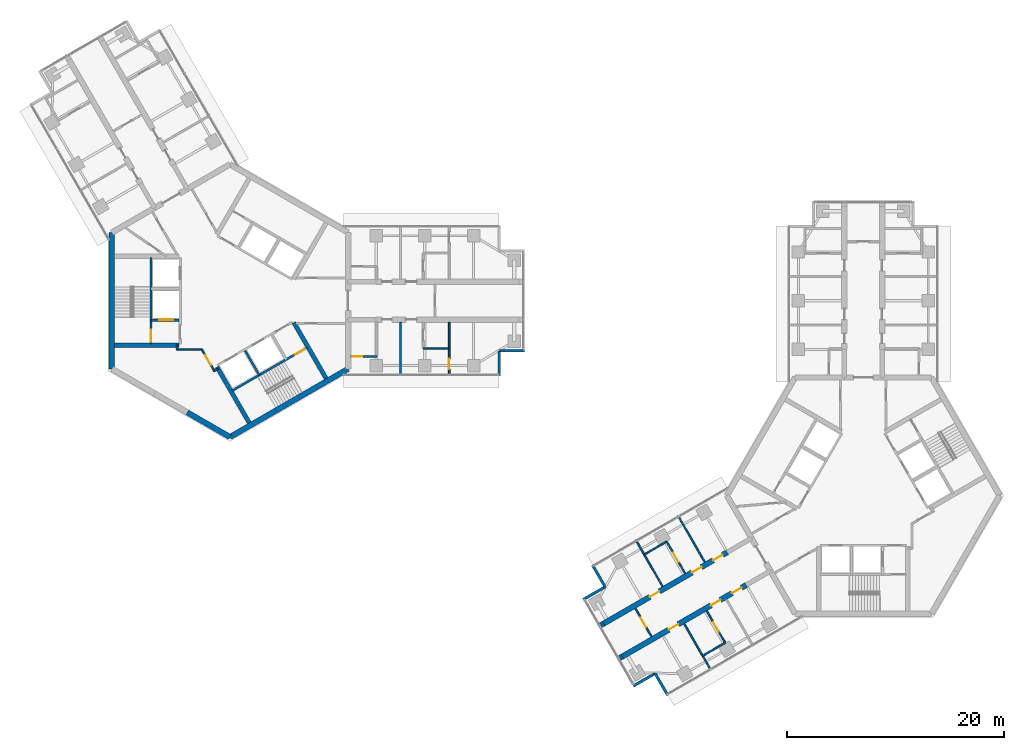
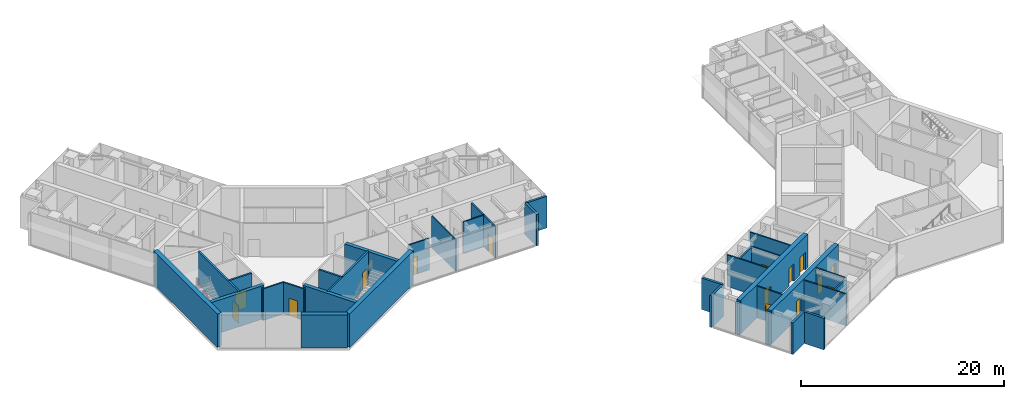
# One storey, part 11 of 17: 36 walls, 15 doors, 15 openings.
"""IFC4 building model written with IfcOpenShell, lengths in metres."""

from ifc_helpers import new_model, si_unit, direction, frame, frame_2d, origin, place, context, subcontext, project, spatial, rectangle, extrude, material, layer, layer_set, type_object, element, fill, save


model = new_model("IFC4")

# Units and contexts
model_context = context("Model", 3, precision=1e-05, world=origin(), true_north=direction((0.0, 1.0)))
body_context = subcontext(model_context, "Body", "Model", "MODEL_VIEW")
ifc_project = project(units=[si_unit("LENGTHUNIT", "METRE"), si_unit("AREAUNIT", "SQUARE_METRE"), si_unit("VOLUMEUNIT", "CUBIC_METRE"), si_unit("PLANEANGLEUNIT", "RADIAN"), si_unit("MASSUNIT", "GRAM", prefix="KILO")], contexts=[model_context])

# Site, building, storey
site_placement = place(None, origin())
site = spatial("IfcSite", under=ifc_project, at=site_placement, CompositionType="ELEMENT")
building_placement = place(site_placement, origin())
building = spatial("IfcBuilding", under=site, at=building_placement, Name="Upepo Twin Towers", CompositionType="ELEMENT")
storey_placement = place(building_placement, frame((0.0, 0.0, 214.5)))
storey = spatial("IfcBuildingStorey", under=building, at=storey_placement, Name="L52", CompositionType="ELEMENT", Elevation=214.5)

# Walls
ifc_material_1 = material(Name="Dense concrete blockwork", Category="masonry")
ifc_layer_1 = layer(ifc_material_1, 0.5)
ifc_layer_set_1 = layer_set([ifc_layer_1], Name="Buttress closer 500, blockwork with fire-stopping to the curtain wall")
wall_type_1 = type_object("IfcWallType", Name="Buttress closer 500, blockwork with fire-stopping to the curtain wall", PredefinedType="PARTITIONING", material=ifc_layer_set_1)
for number, where, z_axis, x_axis, name in (
    (1, (36.252197265625, -32.865478515625, 0.0), (0.0, 0.0, 1.0), (-0.86598763626, -0.500065409566, 0.0), "T2 L52 wing B buttress closer L"),
    (2, (34.502197265625, -29.83447265625, 0.0), (0.0, 0.0, 1.0), (-0.86598763626, -0.500065409566, 0.0), "T2 L52 wing B buttress closer R"),
):
    element("IfcWall", number, at=place(storey_placement, frame(where, z_axis=z_axis, x_axis=x_axis)), inside=storey, type_object=wall_type_1, Name=name, PredefinedType="PARTITIONING", context=body_context, shape_type="SweptSolid", body=[
        extrude(rectangle(XDim=0.28759765625, YDim=0.5, at=frame_2d((0.143798828125, 0.0))), origin(), (0.0, 0.0, 1.0), 3.800048828125),
    ])

# Wall, openings, doors
ifc_material_2 = material(Name="Concrete C60/75", Category="concrete")
ifc_layer_2 = layer(ifc_material_2, 0.5)
ifc_layer_set_2 = layer_set([ifc_layer_2], Name="Concrete C60/75")
wall_type_2 = type_object("IfcWallType", Name="Buttress wall 500 RC", PredefinedType="SHEAR", material=ifc_layer_set_2)
wall_1_placement = place(storey_placement, frame((47.68359375, -26.265625, 0.0), z_axis=(0.0, 0.0, 1.0), x_axis=(-0.866027579429, -0.499996231654, 0.0)))
wall_1 = element("IfcWall", 3, at=wall_1_placement, inside=storey, type_object=wall_type_2, Name="T2 wing B buttress wall L part 2", PredefinedType="SHEAR", context=body_context, shape_type="SweptSolid", body=[
    extrude(rectangle(XDim=13.19970703125, YDim=0.5, at=frame_2d((6.599853515625, 0.0))), origin(), (0.0, 0.0, 1.0), 4.0),
])
opening_1_placement = place(wall_1_placement, frame((0.5, 0.0, 0.0)))
opening_1 = element("IfcOpeningElement", 4, at=opening_1_placement, cuts=wall_1, Name="Opening D1", PredefinedType="OPENING", context=body_context, shape_type="SweptSolid", body=[
    extrude(rectangle(XDim=1.0, YDim=2.10009765625, at=frame_2d((0.5, 1.050048828125))), frame((0.0, 0.260009765625, 0.0), z_axis=(0.0, -1.0, 0.0), x_axis=(1.0, 0.0, 0.0)), (0.0, 0.0, 1.0), 0.52001953125),
])
opening_2_placement = place(wall_1_placement, frame((2.75, 0.0, 0.0)))
opening_2 = element("IfcOpeningElement", 5, at=opening_2_placement, cuts=wall_1, Name="Opening D1", PredefinedType="OPENING", context=body_context, shape_type="SweptSolid", body=[
    extrude(rectangle(XDim=1.0, YDim=2.10009765625, at=frame_2d((0.5, 1.050048828125))), frame((0.0, 0.260009765625, 0.0), z_axis=(0.0, -1.0, 0.0), x_axis=(1.0, 0.0, 0.0)), (0.0, 0.0, 1.0), 0.52001953125),
])
opening_3_placement = place(wall_1_placement, frame((7.25, 0.0, 0.0)))
opening_3 = element("IfcOpeningElement", 6, at=opening_3_placement, cuts=wall_1, Name="Opening D1", PredefinedType="OPENING", context=body_context, shape_type="SweptSolid", body=[
    extrude(rectangle(XDim=1.0, YDim=2.10009765625, at=frame_2d((0.5, 1.050048828125))), frame((0.0, 0.260009765625, 0.0), z_axis=(0.0, -1.0, 0.0), x_axis=(1.0, 0.0, 0.0)), (0.0, 0.0, 1.0), 0.52001953125),
])
ifc_material_3 = material(Name="Timber doorset", Category="wood")
door_type_1 = type_object("IfcDoorType", Name="Room door 1000 FD30", OperationType="SINGLE_SWING_LEFT", PredefinedType="DOOR", material=ifc_material_3)
door_1_placement = place(opening_1_placement, origin())
door_1 = element("IfcDoor", 7, at=door_1_placement, inside=storey, type_object=door_type_1, Name="T2 L52 tutorial room door", OperationType="SINGLE_SWING_LEFT", OverallHeight=2.10009765625, OverallWidth=1.0, PredefinedType="DOOR", context=body_context, shape_type="SweptSolid", body=[
    extrude(rectangle(XDim=1.0, YDim=2.10009765625, at=frame_2d((0.5, 1.050048828125))), frame((0.0, 0.02490234375, 0.0), z_axis=(0.0, -1.0, 0.0), x_axis=(1.0, 0.0, 0.0)), (0.0, 0.0, 1.0), 0.050048828125),
])
fill(opening_1, door_1)
door_2_placement = place(opening_2_placement, origin())
door_2 = element("IfcDoor", 8, at=door_2_placement, inside=storey, type_object=door_type_1, Name="T2 L52 staff office door", OperationType="SINGLE_SWING_LEFT", OverallHeight=2.10009765625, OverallWidth=1.0, PredefinedType="DOOR", context=body_context, shape_type="SweptSolid", body=[
    extrude(rectangle(XDim=1.0, YDim=2.10009765625, at=frame_2d((0.5, 1.050048828125))), frame((0.0, 0.02490234375, 0.0), z_axis=(0.0, -1.0, 0.0), x_axis=(1.0, 0.0, 0.0)), (0.0, 0.0, 1.0), 0.050048828125),
])
fill(opening_2, door_2)
door_3_placement = place(opening_3_placement, origin())
door_3 = element("IfcDoor", 9, at=door_3_placement, inside=storey, type_object=door_type_1, Name="T2 L52 seminar room door", OperationType="SINGLE_SWING_RIGHT", OverallHeight=2.10009765625, OverallWidth=1.0, PredefinedType="DOOR", context=body_context, shape_type="SweptSolid", body=[
    extrude(rectangle(XDim=1.0, YDim=2.10009765625, at=frame_2d((0.5, 1.050048828125))), frame((0.0, 0.02490234375, 0.0), z_axis=(0.0, -1.0, 0.0), x_axis=(1.0, 0.0, 0.0)), (0.0, 0.0, 1.0), 0.050048828125),
])
fill(opening_3, door_3)

wall_2_placement = place(storey_placement, frame((45.93359375, -23.234375, 0.0), z_axis=(0.0, 0.0, 1.0), x_axis=(-0.866019570528, -0.500010103361, 0.0)))
wall_2 = element("IfcWall", 10, at=wall_2_placement, inside=storey, type_object=wall_type_2, Name="T2 wing B buttress wall R part 2", PredefinedType="SHEAR", context=body_context, shape_type="SweptSolid", body=[
    extrude(rectangle(XDim=13.199951171875, YDim=0.5, at=frame_2d((6.60009765625, 0.0))), origin(), (0.0, 0.0, 1.0), 4.0),
])
opening_4_placement = place(wall_2_placement, frame((0.5, 0.0, 0.0)))
opening_4 = element("IfcOpeningElement", 11, at=opening_4_placement, cuts=wall_2, Name="Opening D1", PredefinedType="OPENING", context=body_context, shape_type="SweptSolid", body=[
    extrude(rectangle(XDim=1.0, YDim=2.10009765625, at=frame_2d((0.5, 1.050048828125))), frame((0.0, 0.260009765625, 0.0), z_axis=(0.0, -1.0, 0.0), x_axis=(1.0, 0.0, 0.0)), (0.0, 0.0, 1.0), 0.52001953125),
])
opening_5_placement = place(wall_2_placement, frame((2.75, 0.0, 0.0)))
opening_5 = element("IfcOpeningElement", 12, at=opening_5_placement, cuts=wall_2, Name="Opening D1", PredefinedType="OPENING", context=body_context, shape_type="SweptSolid", body=[
    extrude(rectangle(XDim=1.0, YDim=2.10009765625, at=frame_2d((0.5, 1.050048828125))), frame((0.0, 0.260009765625, 0.0), z_axis=(0.0, -1.0, 0.0), x_axis=(1.0, 0.0, 0.0)), (0.0, 0.0, 1.0), 0.52001953125),
])
opening_6_placement = place(wall_2_placement, frame((7.25, 0.0, 0.0)))
opening_6 = element("IfcOpeningElement", 13, at=opening_6_placement, cuts=wall_2, Name="Opening D1", PredefinedType="OPENING", context=body_context, shape_type="SweptSolid", body=[
    extrude(rectangle(XDim=1.0, YDim=2.10009765625, at=frame_2d((0.5, 1.050048828125))), frame((0.0, 0.260009765625, 0.0), z_axis=(0.0, -1.0, 0.0), x_axis=(1.0, 0.0, 0.0)), (0.0, 0.0, 1.0), 0.52001953125),
])
door_4_placement = place(opening_4_placement, origin())
door_4 = element("IfcDoor", 14, at=door_4_placement, inside=storey, type_object=door_type_1, Name="T2 L52 tutorial room door", OperationType="SINGLE_SWING_LEFT", OverallHeight=2.10009765625, OverallWidth=1.0, PredefinedType="DOOR", context=body_context, shape_type="SweptSolid", body=[
    extrude(rectangle(XDim=1.0, YDim=2.10009765625, at=frame_2d((0.5, 1.050048828125))), frame((0.0, 0.02490234375, 0.0), z_axis=(0.0, -1.0, 0.0), x_axis=(1.0, 0.0, 0.0)), (0.0, 0.0, 1.0), 0.050048828125),
])
fill(opening_4, door_4)
door_5_placement = place(opening_5_placement, origin())
door_5 = element("IfcDoor", 15, at=door_5_placement, inside=storey, type_object=door_type_1, Name="T2 L52 tutorial room door", OperationType="SINGLE_SWING_LEFT", OverallHeight=2.10009765625, OverallWidth=1.0, PredefinedType="DOOR", context=body_context, shape_type="SweptSolid", body=[
    extrude(rectangle(XDim=1.0, YDim=2.10009765625, at=frame_2d((0.5, 1.050048828125))), frame((0.0, 0.02490234375, 0.0), z_axis=(0.0, -1.0, 0.0), x_axis=(1.0, 0.0, 0.0)), (0.0, 0.0, 1.0), 0.050048828125),
])
fill(opening_5, door_5)
door_6_placement = place(opening_6_placement, origin())
door_6 = element("IfcDoor", 16, at=door_6_placement, inside=storey, type_object=door_type_1, Name="T2 L52 staff office door", OperationType="SINGLE_SWING_RIGHT", OverallHeight=2.10009765625, OverallWidth=1.0, PredefinedType="DOOR", context=body_context, shape_type="SweptSolid", body=[
    extrude(rectangle(XDim=1.0, YDim=2.10009765625, at=frame_2d((0.5, 1.050048828125))), frame((0.0, 0.02490234375, 0.0), z_axis=(0.0, -1.0, 0.0), x_axis=(1.0, 0.0, 0.0)), (0.0, 0.0, 1.0), 0.050048828125),
])
fill(opening_6, door_6)

# Walls
ifc_material_4 = material(Name="Concrete C60/75", Category="concrete")
ifc_layer_3 = layer(ifc_material_4, 0.5)
ifc_layer_set_3 = layer_set([ifc_layer_3], Name="Concrete C60/75")
wall_type_3 = type_object("IfcWallType", Name="Core wall 500 RC", PredefinedType="SHEAR", material=ifc_layer_set_3)
wall_3_placement = place(storey_placement, frame((-10.908447265625, 6.2978515625, 0.0), z_axis=(0.0, 0.0, 1.0), x_axis=(0.0, -1.0, 0.0)))
element("IfcWall", 17, at=wall_3_placement, inside=storey, type_object=wall_type_3, Name="T1 core wall 180", PredefinedType="SHEAR", context=body_context, shape_type="SweptSolid", body=[
    extrude(rectangle(XDim=12.595703125, YDim=0.5, at=frame_2d((6.2978515625, 0.0))), origin(), (0.0, 0.0, 1.0), 4.0),
])
wall_4_placement = place(storey_placement, frame((-3.938720703125, -10.32177734375, 0.0), z_axis=(0.0, 0.0, 1.0), x_axis=(0.866011268655, -0.500024481964, 0.0)))
element("IfcWall", 18, at=wall_4_placement, inside=storey, type_object=wall_type_3, Name="T1 core wall 240 L", PredefinedType="SHEAR", context=body_context, shape_type="SweptSolid", body=[
    extrude(rectangle(XDim=4.548095703125, YDim=0.5, at=frame_2d((2.27392578125, 0.0))), origin(), (0.0, 0.0, 1.0), 4.0),
])
wall_5_placement = place(storey_placement, frame((0.0, -12.595947265625, 0.0), z_axis=(0.0, 0.0, 1.0), x_axis=(0.866021940709, 0.500005998175, 0.0)))
element("IfcWall", 19, at=wall_5_placement, inside=storey, type_object=wall_type_3, Name="T1 core wall 300", PredefinedType="SHEAR", context=body_context, shape_type="SweptSolid", body=[
    extrude(rectangle(XDim=12.595947265625, YDim=0.5, at=frame_2d((6.2978515625, 0.0))), origin(), (0.0, 0.0, 1.0), 4.0),
])
ifc_material_5 = material(Name="Blockwork with anodised aluminium cladding", Category="masonry")
ifc_layer_4 = layer(ifc_material_5, 0.25)
ifc_layer_set_4 = layer_set([ifc_layer_4], Name="Notch cladding wall 250, pale metal")
wall_type_4 = type_object("IfcWallType", Name="Notch cladding wall 250, pale metal", PredefinedType="STANDARD", material=ifc_layer_set_4)
for number, where, z_axis, x_axis, name in (
    (20, (24.875, -6.949951171875, 0.0), (0.0, 0.0, 1.0), (0.0, 1.0, 0.0), "T1 L52 wing A notch wall R1"),
    (21, (24.875, -4.625, 0.0), (0.0, 0.0, 1.0), (1.0, 0.0, 0.0), "T1 L52 wing A notch wall R2"),
    (22, (40.4326171875, -36.456298828125, 0.0), (0.0, 0.0, 1.0), (-0.500046648681, 0.865998469481, 0.0), "T2 L52 wing B notch wall L1"),
    (23, (39.27001953125, -34.44287109375, 0.0), (0.0, 0.0, 1.0), (-0.865998469481, -0.500046648681, 0.0), "T2 L52 wing B notch wall L2"),
    (24, (33.482666015625, -24.418701171875, 0.0), (0.0, 0.0, 1.0), (0.499967891604, -0.866043940782, 0.0), "T2 L52 wing B notch wall R1"),
    (25, (34.64501953125, -26.43212890625, 0.0), (0.0, 0.0, 1.0), (-0.865998469481, -0.500046648681, 0.0), "T2 L52 wing B notch wall R2"),
):
    element("IfcWall", number, at=place(storey_placement, frame(where, z_axis=z_axis, x_axis=x_axis)), inside=storey, type_object=wall_type_4, Name=name, PredefinedType="STANDARD", context=body_context, shape_type="SweptSolid", body=[
        extrude(rectangle(XDim=2.324951171875, YDim=0.25, at=frame_2d((1.16259765625, 0.0))), origin(), (0.0, 0.0, 1.0), 3.800048828125),
    ])

# Wall, opening, door
ifc_material_6 = material(Name="Concrete C40/50", Category="concrete")
ifc_layer_5 = layer(ifc_material_6, 0.199951171875)
ifc_layer_set_5 = layer_set([ifc_layer_5], Name="Concrete C40/50")
wall_type_5 = type_object("IfcWallType", Name="Shaft wall 200 RC", PredefinedType="SHEAR", material=ifc_layer_set_5)
wall_6_placement = place(storey_placement, frame((-4.699951171875, -1.800048828125, 0.0), z_axis=(0.0, 0.0, 1.0), x_axis=(-1.0, 0.0, 0.0)))
wall_6 = element("IfcWall", 26, at=wall_6_placement, inside=storey, type_object=wall_type_5, Name="T1 core W180 lobby wall", PredefinedType="SHEAR", context=body_context, shape_type="SweptSolid", body=[
    extrude(rectangle(XDim=2.60009765625, YDim=0.199951171875, at=frame_2d((1.300048828125, 0.0))), origin(), (0.0, 0.0, 1.0), 4.0),
])
opening_7_placement = place(wall_6_placement, frame((0.550048828125, 0.0, 0.0)))
opening_7 = element("IfcOpeningElement", 27, at=opening_7_placement, cuts=wall_6, Name="Opening LD2", PredefinedType="OPENING", context=body_context, shape_type="SweptSolid", body=[
    extrude(rectangle(XDim=1.300048828125, YDim=2.199951171875, at=frame_2d((0.64990234375, 1.10009765625))), frame((0.0, 0.10986328125, 0.0), z_axis=(0.0, -1.0, 0.0), x_axis=(1.0, 0.0, 0.0)), (0.0, 0.0, 1.0), 0.219970703125),
])
ifc_material_7 = material(Name="Steel doorset", Category="steel")
door_type_2 = type_object("IfcDoorType", Name="Firefighting lift landing door 1300", OperationType="DOUBLE_DOOR_SLIDING", PredefinedType="DOOR", material=ifc_material_7)
door_7_placement = place(opening_7_placement, origin())
door_7 = element("IfcDoor", 28, at=door_7_placement, inside=storey, type_object=door_type_2, Name="T1 L52 firefighting lift landing door", OperationType="DOUBLE_DOOR_SLIDING", OverallHeight=2.199951171875, OverallWidth=1.300048828125, PredefinedType="DOOR", context=body_context, shape_type="SweptSolid", body=[
    extrude(rectangle(XDim=1.300048828125, YDim=2.199951171875, at=frame_2d((0.64990234375, 1.10009765625))), frame((0.0, 0.02490234375, 0.0), z_axis=(0.0, -1.0, 0.0), x_axis=(1.0, 0.0, 0.0)), (0.0, 0.0, 1.0), 0.050048828125),
])
fill(opening_7, door_7)

wall_7_placement = place(storey_placement, frame((-7.300048828125, 4.0, 0.0), z_axis=(0.0, 0.0, 1.0), x_axis=(0.0, -1.0, 0.0)))
wall_7 = element("IfcWall", 29, at=wall_7_placement, inside=storey, type_object=wall_type_5, Name="T1 core W180 stair wall", PredefinedType="SHEAR", context=body_context, shape_type="SweptSolid", body=[
    extrude(rectangle(XDim=8.0, YDim=0.199951171875, at=frame_2d((4.0, 0.0))), origin(), (0.0, 0.0, 1.0), 4.0),
])
opening_8_placement = place(wall_7_placement, frame((6.699951171875, 0.0, 0.0)))
opening_8 = element("IfcOpeningElement", 30, at=opening_8_placement, cuts=wall_7, Name="Opening D3", PredefinedType="OPENING", context=body_context, shape_type="SweptSolid", body=[
    extrude(rectangle(XDim=1.10009765625, YDim=2.10009765625, at=frame_2d((0.550048828125, 1.050048828125))), frame((0.0, 0.10986328125, 0.0), z_axis=(0.0, -1.0, 0.0), x_axis=(1.0, 0.0, 0.0)), (0.0, 0.0, 1.0), 0.219970703125),
])
ifc_material_8 = material(Name="Timber doorset", Category="wood")
door_type_3 = type_object("IfcDoorType", Name="Stair door 1100 FD60", OperationType="SINGLE_SWING_LEFT", PredefinedType="DOOR", material=ifc_material_8)
door_8_placement = place(opening_8_placement, origin())
door_8 = element("IfcDoor", 31, at=door_8_placement, inside=storey, type_object=door_type_3, Name="T1 L52 stair door", OperationType="SINGLE_SWING_RIGHT", OverallHeight=2.10009765625, OverallWidth=1.10009765625, PredefinedType="DOOR", context=body_context, shape_type="SweptSolid", body=[
    extrude(rectangle(XDim=1.10009765625, YDim=2.10009765625, at=frame_2d((0.550048828125, 1.050048828125))), frame((0.0, 0.02490234375, 0.0), z_axis=(0.0, -1.0, 0.0), x_axis=(1.0, 0.0, 0.0)), (0.0, 0.0, 1.0), 0.050048828125),
])
fill(opening_8, door_8)

# Wall
wall_8_placement = place(storey_placement, frame((1.3974609375, -4.620361328125, 0.0), z_axis=(0.0, 0.0, 1.0), x_axis=(0.499936506574, -0.866062058628, 0.0)))
element("IfcWall", 32, at=wall_8_placement, inside=storey, type_object=wall_type_5, Name="T1 core W300 shaft divider", PredefinedType="SHEAR", context=body_context, shape_type="SweptSolid", body=[
    extrude(rectangle(XDim=2.599853515625, YDim=0.199951171875, at=frame_2d((1.2998046875, 0.0))), origin(), (0.0, 0.0, 1.0), 4.0),
])

# Wall, opening, door
wall_9_placement = place(storey_placement, frame((0.185791015625, -8.322021484375, 0.0), z_axis=(0.0, 0.0, 1.0), x_axis=(0.866026010844, 0.49999894854, 0.0)))
wall_9 = element("IfcWall", 33, at=wall_9_placement, inside=storey, type_object=wall_type_5, Name="T1 core W300 stair wall", PredefinedType="SHEAR", context=body_context, shape_type="SweptSolid", body=[
    extrude(rectangle(XDim=8.0, YDim=0.199951171875, at=frame_2d((4.0, 0.0))), origin(), (0.0, 0.0, 1.0), 4.0),
])
opening_9_placement = place(wall_9_placement, frame((6.699951171875, 0.0, 0.0)))
opening_9 = element("IfcOpeningElement", 34, at=opening_9_placement, cuts=wall_9, Name="Opening D3", PredefinedType="OPENING", context=body_context, shape_type="SweptSolid", body=[
    extrude(rectangle(XDim=1.10009765625, YDim=2.10009765625, at=frame_2d((0.550048828125, 1.050048828125))), frame((0.0, 0.10986328125, 0.0), z_axis=(0.0, -1.0, 0.0), x_axis=(1.0, 0.0, 0.0)), (0.0, 0.0, 1.0), 0.219970703125),
])
door_9_placement = place(opening_9_placement, origin())
door_9 = element("IfcDoor", 35, at=door_9_placement, inside=storey, type_object=door_type_3, Name="T1 L52 stair door", OperationType="SINGLE_SWING_RIGHT", OverallHeight=2.10009765625, OverallWidth=1.10009765625, PredefinedType="DOOR", context=body_context, shape_type="SweptSolid", body=[
    extrude(rectangle(XDim=1.10009765625, YDim=2.10009765625, at=frame_2d((0.550048828125, 1.050048828125))), frame((0.0, 0.02490234375, 0.0), z_axis=(0.0, -1.0, 0.0), x_axis=(1.0, 0.0, 0.0)), (0.0, 0.0, 1.0), 0.050048828125),
])
fill(opening_9, door_9)

# Walls
ifc_material_9 = material(Name="Concrete C40/50", Category="concrete")
ifc_layer_6 = layer(ifc_material_9, 0.39990234375)
ifc_layer_set_6 = layer_set([ifc_layer_6], Name="Concrete C40/50")
wall_type_6 = type_object("IfcWallType", Name="Shaft wall 400 RC", PredefinedType="SHEAR", material=ifc_layer_set_6)
for number, where, z_axis, x_axis, name in (
    (36, (-4.699951171875, -4.10009765625, 0.0), (0.0, 0.0, 1.0), (-1.0, 0.0, 0.0), "T1 core W180 side wall N"),
    (37, (5.900634765625, -2.020263671875, 0.0), (0.0, 0.0, 1.0), (0.500003832394, -0.86602319114, 0.0), "T1 core W300 side wall N"),
):
    element("IfcWall", number, at=place(storey_placement, frame(where, z_axis=z_axis, x_axis=x_axis)), inside=storey, type_object=wall_type_6, Name=name, PredefinedType="SHEAR", context=body_context, shape_type="SweptSolid", body=[
        extrude(rectangle(XDim=5.95849609375, YDim=0.39990234375, at=frame_2d((2.979248046875, 0.0))), origin(), (0.0, 0.0, 1.0), 4.0),
    ])
wall_10_placement = place(storey_placement, frame((-1.20068359375, -6.120361328125, 0.0), z_axis=(0.0, 0.0, 1.0), x_axis=(0.500021575205, -0.866012946976, 0.0)))
element("IfcWall", 38, at=wall_10_placement, inside=storey, type_object=wall_type_6, Name="T1 core W300 side wall S", PredefinedType="SHEAR", context=body_context, shape_type="SweptSolid", body=[
    extrude(rectangle(XDim=5.958251953125, YDim=0.39990234375, at=frame_2d((2.97900390625, 0.0))), origin(), (0.0, 0.0, 1.0), 4.0),
])
ifc_material_10 = material(Name="Gypsum board on steel studs", Category="steel")
ifc_layer_7 = layer(ifc_material_10, 0.14990234375)
ifc_layer_set_7 = layer_set([ifc_layer_7], Name="Teaching partition 150 acoustic")
wall_type_7 = type_object("IfcWallType", Name="Teaching partition 150 acoustic", PredefinedType="PARTITIONING", material=ifc_layer_set_7)
wall_11_placement = place(storey_placement, frame((15.75, -2.0, 0.0), z_axis=(0.0, 0.0, 1.0), x_axis=(0.0, -1.0, 0.0)))
element("IfcWall", 39, at=wall_11_placement, inside=storey, type_object=wall_type_7, Name="T1 partition AR at 15.75", PredefinedType="PARTITIONING", context=body_context, shape_type="SweptSolid", body=[
    extrude(rectangle(XDim=4.75, YDim=0.14990234375, at=frame_2d((2.375, 0.0))), origin(), (0.0, 0.0, 1.0), 3.800048828125),
])

# Wall, opening, door
wall_12_placement = place(storey_placement, frame((20.25, -2.0, 0.0), z_axis=(0.0, 0.0, 1.0), x_axis=(0.0, -1.0, 0.0)))
wall_12 = element("IfcWall", 40, at=wall_12_placement, inside=storey, type_object=wall_type_7, Name="T1 partition AR at 20.25", PredefinedType="PARTITIONING", context=body_context, shape_type="SweptSolid", body=[
    extrude(rectangle(XDim=4.75, YDim=0.14990234375, at=frame_2d((2.375, 0.0))), origin(), (0.0, 0.0, 1.0), 3.800048828125),
])
opening_10_placement = place(wall_12_placement, frame((3.35009765625, 0.0, 0.0)))
opening_10 = element("IfcOpeningElement", 41, at=opening_10_placement, cuts=wall_12, Name="Opening D1", PredefinedType="OPENING", context=body_context, shape_type="SweptSolid", body=[
    extrude(rectangle(XDim=1.0, YDim=2.10009765625, at=frame_2d((0.5, 1.050048828125))), frame((0.0, 0.0849609375, 0.0), z_axis=(0.0, -1.0, 0.0), x_axis=(1.0, 0.0, 0.0)), (0.0, 0.0, 1.0), 0.169921875),
])
door_10_placement = place(opening_10_placement, origin())
door_10 = element("IfcDoor", 42, at=door_10_placement, inside=storey, type_object=door_type_1, Name="T1 L52 connecting door", OperationType="SINGLE_SWING_RIGHT", OverallHeight=2.10009765625, OverallWidth=1.0, PredefinedType="DOOR", context=body_context, shape_type="SweptSolid", body=[
    extrude(rectangle(XDim=1.0, YDim=2.10009765625, at=frame_2d((0.5, 1.050048828125))), frame((0.0, 0.02490234375, 0.0), z_axis=(0.0, -1.0, 0.0), x_axis=(1.0, 0.0, 0.0)), (0.0, 0.0, 1.0), 0.050048828125),
])
fill(opening_10, door_10)

# Wall
wall_13_placement = place(storey_placement, frame((17.85009765625, -4.39990234375, 0.0), z_axis=(0.0, 0.0, 1.0), x_axis=(1.0, 0.0, 0.0)))
element("IfcWall", 43, at=wall_13_placement, inside=storey, type_object=wall_type_7, Name="T1 inner room partition AR at 17.85", PredefinedType="PARTITIONING", context=body_context, shape_type="SweptSolid", body=[
    extrude(rectangle(XDim=2.39990234375, YDim=0.14990234375, at=frame_2d((1.199951171875, 0.0))), origin(), (0.0, 0.0, 1.0), 3.800048828125),
])

# Wall, opening, door
wall_14_placement = place(storey_placement, frame((11.157958984375, -5.14990234375, 0.0), z_axis=(0.0, 0.0, 1.0), x_axis=(1.0, 0.0, 0.0)))
wall_14 = element("IfcWall", 44, at=wall_14_placement, inside=storey, type_object=wall_type_7, Name="T1 WC bay partition AR at 11.16", PredefinedType="PARTITIONING", context=body_context, shape_type="SweptSolid", body=[
    extrude(rectangle(XDim=2.400146484375, YDim=0.14990234375, at=frame_2d((1.2001953125, 0.0))), origin(), (0.0, 0.0, 1.0), 3.800048828125),
])
opening_11_placement = place(wall_14_placement, frame((0.14990234375, 0.0, 0.0)))
opening_11 = element("IfcOpeningElement", 45, at=opening_11_placement, cuts=wall_14, Name="Opening D14", PredefinedType="OPENING", context=body_context, shape_type="SweptSolid", body=[
    extrude(rectangle(XDim=0.89990234375, YDim=2.10009765625, at=frame_2d((0.449951171875, 1.050048828125))), frame((0.0, 0.0849609375, 0.0), z_axis=(0.0, -1.0, 0.0), x_axis=(1.0, 0.0, 0.0)), (0.0, 0.0, 1.0), 0.169921875),
])
ifc_material_11 = material(Name="Timber doorset", Category="wood")
door_type_4 = type_object("IfcDoorType", Name="Office door 900 FD30", OperationType="SINGLE_SWING_LEFT", PredefinedType="DOOR", material=ifc_material_11)
door_11_placement = place(opening_11_placement, origin())
door_11 = element("IfcDoor", 46, at=door_11_placement, inside=storey, type_object=door_type_4, Name="T1 L52 WC bay inner room door", OperationType="SINGLE_SWING_LEFT", OverallHeight=2.10009765625, OverallWidth=0.89990234375, PredefinedType="DOOR", context=body_context, shape_type="SweptSolid", body=[
    extrude(rectangle(XDim=0.89990234375, YDim=2.10009765625, at=frame_2d((0.449951171875, 1.050048828125))), frame((0.0, 0.02490234375, 0.0), z_axis=(0.0, -1.0, 0.0), x_axis=(1.0, 0.0, 0.0)), (0.0, 0.0, 1.0), 0.050048828125),
])
fill(opening_11, door_11)

wall_15_placement = place(storey_placement, frame((-1.43701171875, -6.5107421875, 0.0), z_axis=(0.0, 0.0, 1.0), x_axis=(-0.500074377092, 0.865982457891, 0.0)))
wall_15 = element("IfcWall", 47, at=wall_15_placement, inside=storey, type_object=wall_type_7, Name="T1 core room partition 1", PredefinedType="PARTITIONING", context=body_context, shape_type="SweptSolid", body=[
    extrude(rectangle(XDim=2.342041015625, YDim=0.14990234375, at=frame_2d((1.1708984375, 0.0))), origin(), (0.0, 0.0, 1.0), 3.800048828125),
])
opening_12_placement = place(wall_15_placement, frame((0.6708984375, 0.0, 0.0)))
opening_12 = element("IfcOpeningElement", 48, at=opening_12_placement, cuts=wall_15, Name="Opening D1", PredefinedType="OPENING", context=body_context, shape_type="SweptSolid", body=[
    extrude(rectangle(XDim=1.0, YDim=2.10009765625, at=frame_2d((0.5, 1.050048828125))), frame((0.0, 0.0849609375, 0.0), z_axis=(0.0, -1.0, 0.0), x_axis=(1.0, 0.0, 0.0)), (0.0, 0.0, 1.0), 0.169921875),
])
door_12_placement = place(opening_12_placement, origin())
door_12 = element("IfcDoor", 49, at=door_12_placement, inside=storey, type_object=door_type_1, Name="T1 L52 core room door K1", OperationType="SINGLE_SWING_RIGHT", OverallHeight=2.10009765625, OverallWidth=1.0, PredefinedType="DOOR", context=body_context, shape_type="SweptSolid", body=[
    extrude(rectangle(XDim=1.0, YDim=2.10009765625, at=frame_2d((0.5, 1.050048828125))), frame((0.0, 0.02490234375, 0.0), z_axis=(0.0, -1.0, 0.0), x_axis=(1.0, 0.0, 0.0)), (0.0, 0.0, 1.0), 0.050048828125),
])
fill(opening_12, door_12)

# Walls
wall_16_placement = place(storey_placement, frame((-2.578125, -4.5, 0.0), z_axis=(0.0, 0.0, 1.0), x_axis=(-1.0, 0.0, 0.0)))
element("IfcWall", 50, at=wall_16_placement, inside=storey, type_object=wall_type_7, Name="T1 core room partition 2", PredefinedType="PARTITIONING", context=body_context, shape_type="SweptSolid", body=[
    extrude(rectangle(XDim=2.341796875, YDim=0.14990234375, at=frame_2d((1.1708984375, 0.0))), origin(), (0.0, 0.0, 1.0), 3.800048828125),
])
for number, where, z_axis, x_axis, name in (
    (51, (-4.89990234375, -4.52001953125, 0.0), (0.0, 0.0, 1.0), (0.0, 1.0, 0.0), "T1 core room partition 3"),
    (52, (-1.092041015625, -6.28857421875, 0.0), (0.0, 0.0, 1.0), (-0.866138304741, -0.499804398801, 0.0), "T1 core room partition 8"),
):
    element("IfcWall", number, at=place(storey_placement, frame(where, z_axis=z_axis, x_axis=x_axis)), inside=storey, type_object=wall_type_7, Name=name, PredefinedType="PARTITIONING", context=body_context, shape_type="SweptSolid", body=[
        extrude(rectangle(XDim=0.429931640625, YDim=0.14990234375, at=frame_2d((0.21484375, 0.0))), origin(), (0.0, 0.0, 1.0), 3.800048828125),
    ])
wall_17_placement = place(storey_placement, frame((41.962890625, -29.85693359375, 0.0), z_axis=(0.0, 0.0, 1.0), x_axis=(0.499986429846, -0.866033238375, 0.0)))
element("IfcWall", 53, at=wall_17_placement, inside=storey, type_object=wall_type_7, Name="T2 partition BL at 20.25", PredefinedType="PARTITIONING", context=body_context, shape_type="SweptSolid", body=[
    extrude(rectangle(XDim=4.750244140625, YDim=0.14990234375, at=frame_2d((2.375, 0.0))), origin(), (0.0, 0.0, 1.0), 3.800048828125),
])
wall_18_placement = place(storey_placement, frame((45.741455078125, -31.6015625, 0.0), z_axis=(0.0, 0.0, 1.0), x_axis=(-0.866024647952, -0.500001309137, 0.0)))
element("IfcWall", 54, at=wall_18_placement, inside=storey, type_object=wall_type_7, Name="T2 inner room partition BL at 17.85", PredefinedType="PARTITIONING", context=body_context, shape_type="SweptSolid", body=[
    extrude(rectangle(XDim=2.39990234375, YDim=0.14990234375, at=frame_2d((1.199951171875, 0.0))), origin(), (0.0, 0.0, 1.0), 3.800048828125),
])

# Wall, opening, door
wall_19_placement = place(storey_placement, frame((44.04150390625, -28.656982421875, 0.0), z_axis=(0.0, 0.0, 1.0), x_axis=(0.499977295307, -0.866038511948, 0.0)))
wall_19 = element("IfcWall", 55, at=wall_19_placement, inside=storey, type_object=wall_type_7, Name="T2 inner room partition BL end at 17.85", PredefinedType="PARTITIONING", context=body_context, shape_type="SweptSolid", body=[
    extrude(rectangle(XDim=3.400146484375, YDim=0.14990234375, at=frame_2d((1.7001953125, 0.0))), origin(), (0.0, 0.0, 1.0), 3.800048828125),
])
opening_13_placement = place(wall_19_placement, frame((1.199951171875, 0.0, 0.0)))
opening_13 = element("IfcOpeningElement", 56, at=opening_13_placement, cuts=wall_19, Name="Opening D1", PredefinedType="OPENING", context=body_context, shape_type="SweptSolid", body=[
    extrude(rectangle(XDim=1.0, YDim=2.10009765625, at=frame_2d((0.5, 1.050048828125))), frame((0.0, 0.0849609375, 0.0), z_axis=(0.0, -1.0, 0.0), x_axis=(1.0, 0.0, 0.0)), (0.0, 0.0, 1.0), 0.169921875),
])
door_13_placement = place(opening_13_placement, origin())
door_13 = element("IfcDoor", 57, at=door_13_placement, inside=storey, type_object=door_type_1, Name="T2 L52 inner room door", OperationType="SINGLE_SWING_LEFT", OverallHeight=2.10009765625, OverallWidth=1.0, PredefinedType="DOOR", context=body_context, shape_type="SweptSolid", body=[
    extrude(rectangle(XDim=1.0, YDim=2.10009765625, at=frame_2d((0.5, 1.050048828125))), frame((0.0, 0.02490234375, 0.0), z_axis=(0.0, -1.0, 0.0), x_axis=(1.0, 0.0, 0.0)), (0.0, 0.0, 1.0), 0.050048828125),
])
fill(opening_13, door_13)

# Walls
for number, where, z_axis, x_axis, name in (
    (58, (43.860107421875, -24.14306640625, 0.0), (0.0, 0.0, 1.0), (-0.499986429846, 0.866033238375, 0.0), "T2 partition BR at 15.75"),
    (59, (39.962890625, -26.39306640625, 0.0), (0.0, 0.0, 1.0), (-0.499986429846, 0.866033238375, 0.0), "T2 partition BR at 20.25"),
):
    element("IfcWall", number, at=place(storey_placement, frame(where, z_axis=z_axis, x_axis=x_axis)), inside=storey, type_object=wall_type_7, Name=name, PredefinedType="PARTITIONING", context=body_context, shape_type="SweptSolid", body=[
        extrude(rectangle(XDim=4.750244140625, YDim=0.14990234375, at=frame_2d((2.375, 0.0))), origin(), (0.0, 0.0, 1.0), 3.800048828125),
    ])
wall_20_placement = place(storey_placement, frame((40.341552734375, -22.24853515625, 0.0), z_axis=(0.0, 0.0, 1.0), x_axis=(-0.866050077142, -0.499957262057, 0.0)))
element("IfcWall", 60, at=wall_20_placement, inside=storey, type_object=wall_type_7, Name="T2 inner room partition BR at 17.85", PredefinedType="PARTITIONING", context=body_context, shape_type="SweptSolid", body=[
    extrude(rectangle(XDim=2.400146484375, YDim=0.14990234375, at=frame_2d((1.2001953125, 0.0))), origin(), (0.0, 0.0, 1.0), 3.800048828125),
])

# Wall, opening, door
wall_21_placement = place(storey_placement, frame((42.04150390625, -25.19287109375, 0.0), z_axis=(0.0, 0.0, 1.0), x_axis=(-0.500008388397, 0.866020560687, 0.0)))
wall_21 = element("IfcWall", 61, at=wall_21_placement, inside=storey, type_object=wall_type_7, Name="T2 inner room partition BR end at 17.85", PredefinedType="PARTITIONING", context=body_context, shape_type="SweptSolid", body=[
    extrude(rectangle(XDim=3.39990234375, YDim=0.14990234375, at=frame_2d((1.699951171875, 0.0))), origin(), (0.0, 0.0, 1.0), 3.800048828125),
])
opening_14_placement = place(wall_21_placement, frame((1.199951171875, 0.0, 0.0)))
opening_14 = element("IfcOpeningElement", 62, at=opening_14_placement, cuts=wall_21, Name="Opening D1", PredefinedType="OPENING", context=body_context, shape_type="SweptSolid", body=[
    extrude(rectangle(XDim=1.0, YDim=2.10009765625, at=frame_2d((0.5, 1.050048828125))), frame((0.0, 0.0849609375, 0.0), z_axis=(0.0, -1.0, 0.0), x_axis=(1.0, 0.0, 0.0)), (0.0, 0.0, 1.0), 0.169921875),
])
door_14_placement = place(opening_14_placement, origin())
door_14 = element("IfcDoor", 63, at=door_14_placement, inside=storey, type_object=door_type_1, Name="T2 L52 inner room door", OperationType="SINGLE_SWING_LEFT", OverallHeight=2.10009765625, OverallWidth=1.0, PredefinedType="DOOR", context=body_context, shape_type="SweptSolid", body=[
    extrude(rectangle(XDim=1.0, YDim=2.10009765625, at=frame_2d((0.5, 1.050048828125))), frame((0.0, 0.02490234375, 0.0), z_axis=(0.0, -1.0, 0.0), x_axis=(1.0, 0.0, 0.0)), (0.0, 0.0, 1.0), 0.050048828125),
])
fill(opening_14, door_14)

wall_22_placement = place(storey_placement, frame((37.441650390625, -28.426025390625, 0.0), z_axis=(0.0, 0.0, 1.0), x_axis=(0.50002537861, -0.866010750942, 0.0)))
wall_22 = element("IfcWall", 64, at=wall_22_placement, inside=storey, type_object=wall_type_7, Name="T2 corridor end partition B at 23.45", PredefinedType="PARTITIONING", context=body_context, shape_type="SweptSolid", body=[
    extrude(rectangle(XDim=2.999755859375, YDim=0.14990234375, at=frame_2d((1.5, 0.0))), origin(), (0.0, 0.0, 1.0), 3.800048828125),
])
opening_15_placement = place(wall_22_placement, frame((1.0, 0.0, 0.0)))
opening_15 = element("IfcOpeningElement", 65, at=opening_15_placement, cuts=wall_22, Name="Opening D1", PredefinedType="OPENING", context=body_context, shape_type="SweptSolid", body=[
    extrude(rectangle(XDim=1.0, YDim=2.10009765625, at=frame_2d((0.5, 1.050048828125))), frame((0.0, 0.0849609375, 0.0), z_axis=(0.0, -1.0, 0.0), x_axis=(1.0, 0.0, 0.0)), (0.0, 0.0, 1.0), 0.169921875),
])
door_15_placement = place(opening_15_placement, origin())
door_15 = element("IfcDoor", 66, at=door_15_placement, inside=storey, type_object=door_type_1, Name="T2 L52 breakout study room door", OperationType="SINGLE_SWING_RIGHT", OverallHeight=2.10009765625, OverallWidth=1.0, PredefinedType="DOOR", context=body_context, shape_type="SweptSolid", body=[
    extrude(rectangle(XDim=1.0, YDim=2.10009765625, at=frame_2d((0.5, 1.050048828125))), frame((0.0, 0.02490234375, 0.0), z_axis=(0.0, -1.0, 0.0), x_axis=(1.0, 0.0, 0.0)), (0.0, 0.0, 1.0), 0.050048828125),
])
fill(opening_15, door_15)

save(model, "model.ifc")
